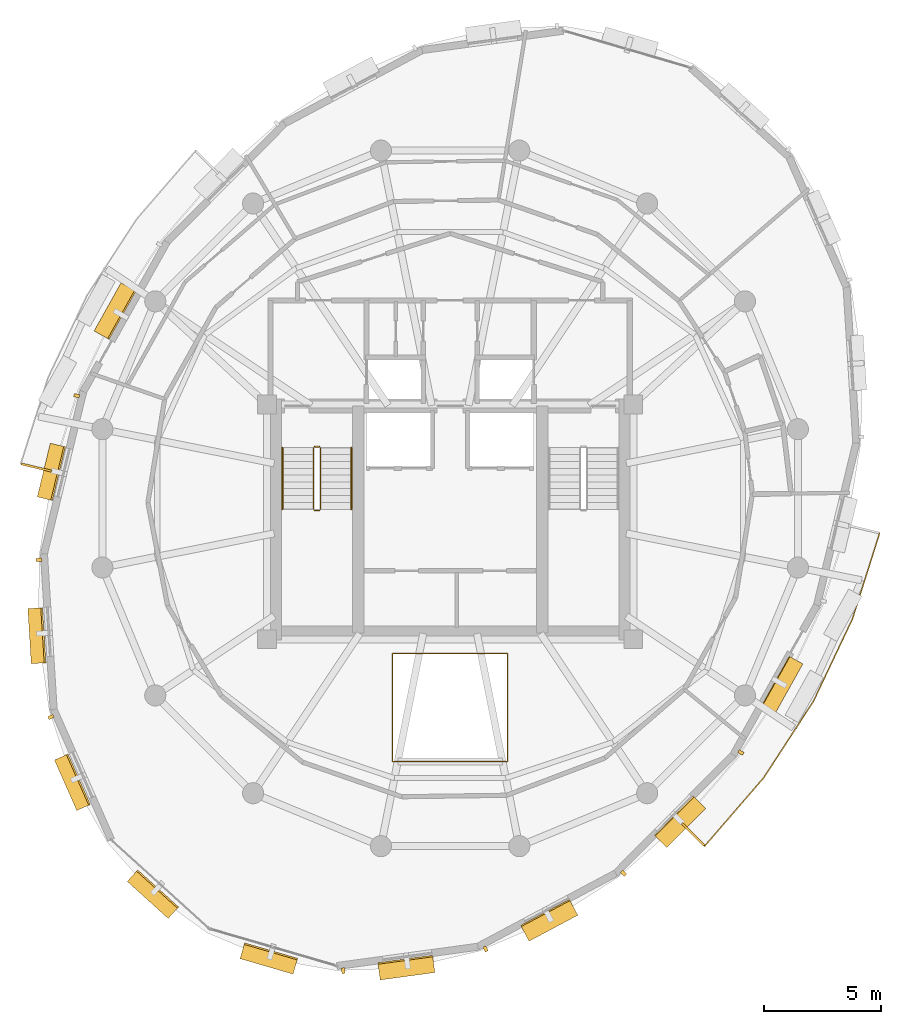
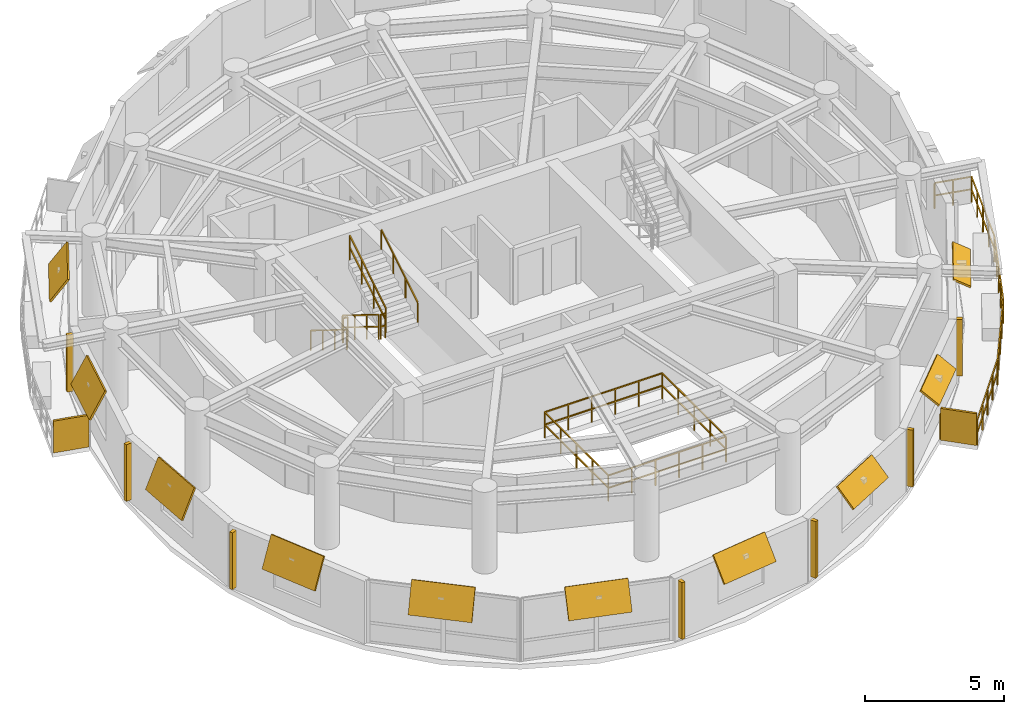
# One storey, part 10 of 11: 19 shading devices, 8 railings.
"""IFC4 building model written with IfcOpenShell, lengths in metres."""

from ifc_helpers import new_model, si_unit, direction, frame, origin, origin_2d, place, context, subcontext, project, spatial, rectangle, extrude, material, layer, layer_set, type_object, element, save


model = new_model("IFC4")

# Units and contexts
model_context = context("Model", 3, precision=1e-05, world=origin(), true_north=direction((0.0, 1.0)))
body_context = subcontext(model_context, "Body", "Model", "MODEL_VIEW")
ifc_project = project(units=[si_unit("LENGTHUNIT", "METRE"), si_unit("AREAUNIT", "SQUARE_METRE"), si_unit("VOLUMEUNIT", "CUBIC_METRE"), si_unit("PLANEANGLEUNIT", "RADIAN"), si_unit("MASSUNIT", "GRAM", prefix="KILO"), si_unit("THERMODYNAMICTEMPERATUREUNIT", "KELVIN"), si_unit("POWERUNIT", "WATT")], contexts=[model_context])

# Site, building, storey
site_placement = place(None, origin())
site = spatial("IfcSite", under=ifc_project, at=site_placement, CompositionType="ELEMENT")
building_placement = place(site_placement, origin())
building = spatial("IfcBuilding", under=site, at=building_placement, Name="Ocrelia Relay Tower", CompositionType="ELEMENT")
storey_placement = place(building_placement, frame((0.0, 0.0, 280.800048828125)))
storey = spatial("IfcBuildingStorey", under=building, at=storey_placement, Name="L70", CompositionType="ELEMENT", Elevation=280.800048828125)

# Railings
ifc_material_1 = material(Name="Steel S355 balustrade", Category="steel")
railing_type_1 = type_object("IfcRailingType", Name="RL-EXT-GUARD-1150", PredefinedType="GUARDRAIL", material=ifc_material_1)
railing_1_placement = place(storey_placement, frame((50.93701171875, 24.849853515625, 0.0)))
element("IfcRailing", 1, at=railing_1_placement, inside=storey, type_object=railing_type_1, Name="L70 Loggia Balcony Guard Rail B2", PredefinedType="GUARDRAIL", context=body_context, shape_type="SweptSolid", body=[
    extrude(rectangle(XDim=0.048095703125, YDim=0.048095703125, at=origin_2d()), frame((0.0, 0.0, 1.1259765625), z_axis=(0.972307733932, -0.233704237309, 0.0), x_axis=(0.233704237309, 0.972307733932, 0.0)), (0.0, 0.0, 1.0), 1.3935546875),
    extrude(rectangle(XDim=0.048095703125, YDim=0.048095703125, at=origin_2d()), frame((0.0, 0.0, 0.574951171875), z_axis=(0.972307733932, -0.233704237309, 0.0), x_axis=(0.233704237309, 0.972307733932, 0.0)), (0.0, 0.0, 1.0), 1.3935546875),
    extrude(rectangle(XDim=0.048095703125, YDim=0.048095703125, at=origin_2d()), frame((1.35498046875, -0.32568359375, 1.1259765625), z_axis=(-0.301624066086, -0.953426936245, 0.0), x_axis=(0.953426936245, -0.301624066086, 0.0)), (0.0, 0.0, 1.0), 1.920654296875),
    extrude(rectangle(XDim=0.048095703125, YDim=0.048095703125, at=origin_2d()), frame((1.35498046875, -0.32568359375, 0.574951171875), z_axis=(-0.301624066086, -0.953426936245, 0.0), x_axis=(0.953426936245, -0.301624066086, 0.0)), (0.0, 0.0, 1.0), 1.920654296875),
    extrude(rectangle(XDim=0.048095703125, YDim=0.048095703125, at=origin_2d()), frame((0.775634765625, -2.156982421875, 1.1259765625), z_axis=(-0.301739602294, -0.953390377761, 0.0), x_axis=(0.953390377761, -0.301739602294, 0.0)), (0.0, 0.0, 1.0), 1.9208984375),
    extrude(rectangle(XDim=0.048095703125, YDim=0.048095703125, at=origin_2d()), frame((0.775634765625, -2.156982421875, 0.574951171875), z_axis=(-0.301739602294, -0.953390377761, 0.0), x_axis=(0.953390377761, -0.301739602294, 0.0)), (0.0, 0.0, 1.0), 1.9208984375),
    extrude(rectangle(XDim=0.048095703125, YDim=0.048095703125, at=origin_2d()), frame((0.196044921875, -3.98828125, 1.1259765625), z_axis=(-0.428170151746, -0.90369813608, 0.0), x_axis=(0.90369813608, -0.428170151746, 0.0)), (0.0, 0.0, 1.0), 3.8818359375),
    extrude(rectangle(XDim=0.048095703125, YDim=0.048095703125, at=origin_2d()), frame((0.196044921875, -3.98828125, 0.574951171875), z_axis=(-0.428170151746, -0.90369813608, 0.0), x_axis=(0.90369813608, -0.428170151746, 0.0)), (0.0, 0.0, 1.0), 3.8818359375),
    extrude(rectangle(XDim=0.048095703125, YDim=0.048095703125, at=origin_2d()), frame((-1.466064453125, -7.496337890625, 1.1259765625), z_axis=(-0.545333158322, -0.838219390395, 0.0), x_axis=(0.838219390395, -0.545333158322, 0.0)), (0.0, 0.0, 1.0), 3.8818359375),
    extrude(rectangle(XDim=0.048095703125, YDim=0.048095703125, at=origin_2d()), frame((-1.466064453125, -7.496337890625, 0.574951171875), z_axis=(-0.545333158322, -0.838219390395, 0.0), x_axis=(0.838219390395, -0.545333158322, 0.0)), (0.0, 0.0, 1.0), 3.8818359375),
    extrude(rectangle(XDim=0.048095703125, YDim=0.048095703125, at=origin_2d()), frame((-3.5830078125, -10.750244140625, 1.1259765625), z_axis=(-0.654020237008, -0.756477051591, 0.0), x_axis=(0.756477051591, -0.654020237008, 0.0)), (0.0, 0.0, 1.0), 1.920654296875),
    extrude(rectangle(XDim=0.048095703125, YDim=0.048095703125, at=origin_2d()), frame((-3.5830078125, -10.750244140625, 0.574951171875), z_axis=(-0.654020237008, -0.756477051591, 0.0), x_axis=(0.756477051591, -0.654020237008, 0.0)), (0.0, 0.0, 1.0), 1.920654296875),
    extrude(rectangle(XDim=0.048095703125, YDim=0.048095703125, at=origin_2d()), frame((-4.839111328125, -12.203125, 1.1259765625), z_axis=(-0.65395734918, -0.75653141736, 0.0), x_axis=(0.75653141736, -0.65395734918, 0.0)), (0.0, 0.0, 1.0), 1.920654296875),
    extrude(rectangle(XDim=0.048095703125, YDim=0.048095703125, at=origin_2d()), frame((-4.839111328125, -12.203125, 0.574951171875), z_axis=(-0.65395734918, -0.75653141736, 0.0), x_axis=(0.75653141736, -0.65395734918, 0.0)), (0.0, 0.0, 1.0), 1.920654296875),
    extrude(rectangle(XDim=0.048095703125, YDim=0.048095703125, at=origin_2d()), frame((-6.09521484375, -13.65625, 1.1259765625), z_axis=(-0.70850698851, 0.705703795677, 0.0), x_axis=(-0.705703795677, -0.70850698851, 0.0)), (0.0, 0.0, 1.0), 1.3935546875),
    extrude(rectangle(XDim=0.048095703125, YDim=0.048095703125, at=origin_2d()), frame((-6.09521484375, -13.65625, 0.574951171875), z_axis=(-0.70850698851, 0.705703795677, 0.0), x_axis=(-0.705703795677, -0.70850698851, 0.0)), (0.0, 0.0, 1.0), 1.3935546875),
    extrude(rectangle(XDim=0.0419921875, YDim=0.0419921875, at=origin_2d()), origin(), (0.0, 0.0, 1.0), 1.101806640625),
    extrude(rectangle(XDim=0.0419921875, YDim=0.0419921875, at=origin_2d()), frame((0.677490234375, -0.162841796875, 0.0)), (0.0, 0.0, 1.0), 1.101806640625),
    extrude(rectangle(XDim=0.0419921875, YDim=0.0419921875, at=origin_2d()), frame((1.35498046875, -0.32568359375, 0.0)), (0.0, 0.0, 1.0), 1.101806640625),
    extrude(rectangle(XDim=0.0419921875, YDim=0.0419921875, at=origin_2d()), frame((1.0654296875, -1.2412109375, 0.0)), (0.0, 0.0, 1.0), 1.101806640625),
    extrude(rectangle(XDim=0.0419921875, YDim=0.0419921875, at=origin_2d()), frame((0.775634765625, -2.156982421875, 0.0)), (0.0, 0.0, 1.0), 1.101806640625),
    extrude(rectangle(XDim=0.0419921875, YDim=0.0419921875, at=origin_2d()), frame((0.48583984375, -3.07275390625, 0.0)), (0.0, 0.0, 1.0), 1.101806640625),
    extrude(rectangle(XDim=0.0419921875, YDim=0.0419921875, at=origin_2d()), frame((0.196044921875, -3.98828125, 0.0)), (0.0, 0.0, 1.0), 1.101806640625),
    extrude(rectangle(XDim=0.0419921875, YDim=0.0419921875, at=origin_2d()), frame((-0.219482421875, -4.865234375, 0.0)), (0.0, 0.0, 1.0), 1.101806640625),
    extrude(rectangle(XDim=0.0419921875, YDim=0.0419921875, at=origin_2d()), frame((-0.635009765625, -5.7421875, 0.0)), (0.0, 0.0, 1.0), 1.101806640625),
    extrude(rectangle(XDim=0.0419921875, YDim=0.0419921875, at=origin_2d()), frame((-1.050537109375, -6.619384765625, 0.0)), (0.0, 0.0, 1.0), 1.101806640625),
    extrude(rectangle(XDim=0.0419921875, YDim=0.0419921875, at=origin_2d()), frame((-1.466064453125, -7.496337890625, 0.0)), (0.0, 0.0, 1.0), 1.101806640625),
    extrude(rectangle(XDim=0.0419921875, YDim=0.0419921875, at=origin_2d()), frame((-1.995361328125, -8.309814453125, 0.0)), (0.0, 0.0, 1.0), 1.101806640625),
    extrude(rectangle(XDim=0.0419921875, YDim=0.0419921875, at=origin_2d()), frame((-2.5244140625, -9.123291015625, 0.0)), (0.0, 0.0, 1.0), 1.101806640625),
    extrude(rectangle(XDim=0.0419921875, YDim=0.0419921875, at=origin_2d()), frame((-3.0537109375, -9.936767578125, 0.0)), (0.0, 0.0, 1.0), 1.101806640625),
    extrude(rectangle(XDim=0.0419921875, YDim=0.0419921875, at=origin_2d()), frame((-3.5830078125, -10.750244140625, 0.0)), (0.0, 0.0, 1.0), 1.101806640625),
    extrude(rectangle(XDim=0.0419921875, YDim=0.0419921875, at=origin_2d()), frame((-4.2109375, -11.4765625, 0.0)), (0.0, 0.0, 1.0), 1.101806640625),
    extrude(rectangle(XDim=0.0419921875, YDim=0.0419921875, at=origin_2d()), frame((-4.839111328125, -12.203125, 0.0)), (0.0, 0.0, 1.0), 1.101806640625),
    extrude(rectangle(XDim=0.0419921875, YDim=0.0419921875, at=origin_2d()), frame((-5.46728515625, -12.9296875, 0.0)), (0.0, 0.0, 1.0), 1.101806640625),
    extrude(rectangle(XDim=0.0419921875, YDim=0.0419921875, at=origin_2d()), frame((-6.09521484375, -13.65625, 0.0)), (0.0, 0.0, 1.0), 1.101806640625),
    extrude(rectangle(XDim=0.0419921875, YDim=0.0419921875, at=origin_2d()), frame((-6.5888671875, -13.16455078125, 0.0)), (0.0, 0.0, 1.0), 1.101806640625),
    extrude(rectangle(XDim=0.0419921875, YDim=0.0419921875, at=origin_2d()), frame((-7.08251953125, -12.6728515625, 0.0)), (0.0, 0.0, 1.0), 1.101806640625),
])
ifc_material_2 = material(Name="Steel S355 atrium balustrade", Category="steel")
railing_type_2 = type_object("IfcRailingType", Name="RL-INT-GUARD-115", PredefinedType="GUARDRAIL", material=ifc_material_2)
railing_2_placement = place(storey_placement, frame((31.550048828125, 14.800048828125, 0.0)))
element("IfcRailing", 2, at=railing_2_placement, inside=storey, type_object=railing_type_2, Name="L70 Multi-Zone Interior Atrium Guard", PredefinedType="GUARDRAIL", context=body_context, shape_type="SweptSolid", body=[
    extrude(rectangle(XDim=0.048095703125, YDim=0.048095703125, at=origin_2d()), frame((0.0, 0.0, 1.1259765625), z_axis=(1.0, 0.0, 0.0), x_axis=(0.0, 1.0, 0.0)), (0.0, 0.0, 1.0), 4.89990234375),
    extrude(rectangle(XDim=0.048095703125, YDim=0.048095703125, at=origin_2d()), frame((0.0, 0.0, 0.574951171875), z_axis=(1.0, 0.0, 0.0), x_axis=(0.0, 1.0, 0.0)), (0.0, 0.0, 1.0), 4.89990234375),
    extrude(rectangle(XDim=0.048095703125, YDim=0.048095703125, at=origin_2d()), frame((4.89990234375, 0.0, 1.1259765625), z_axis=(0.0, 1.0, 0.0), x_axis=(-1.0, 0.0, 0.0)), (0.0, 0.0, 1.0), 4.599853515625),
    extrude(rectangle(XDim=0.048095703125, YDim=0.048095703125, at=origin_2d()), frame((4.89990234375, 0.0, 0.574951171875), z_axis=(0.0, 1.0, 0.0), x_axis=(-1.0, 0.0, 0.0)), (0.0, 0.0, 1.0), 4.599853515625),
    extrude(rectangle(XDim=0.048095703125, YDim=0.048095703125, at=origin_2d()), frame((4.89990234375, 4.599853515625, 1.1259765625), z_axis=(-1.0, 0.0, 0.0), x_axis=(0.0, -1.0, 0.0)), (0.0, 0.0, 1.0), 4.89990234375),
    extrude(rectangle(XDim=0.048095703125, YDim=0.048095703125, at=origin_2d()), frame((4.89990234375, 4.599853515625, 0.574951171875), z_axis=(-1.0, 0.0, 0.0), x_axis=(0.0, -1.0, 0.0)), (0.0, 0.0, 1.0), 4.89990234375),
    extrude(rectangle(XDim=0.048095703125, YDim=0.048095703125, at=origin_2d()), frame((0.0, 4.599853515625, 1.1259765625), z_axis=(0.0, -1.0, 0.0), x_axis=(1.0, 0.0, 0.0)), (0.0, 0.0, 1.0), 4.599853515625),
    extrude(rectangle(XDim=0.048095703125, YDim=0.048095703125, at=origin_2d()), frame((0.0, 4.599853515625, 0.574951171875), z_axis=(0.0, -1.0, 0.0), x_axis=(1.0, 0.0, 0.0)), (0.0, 0.0, 1.0), 4.599853515625),
    extrude(rectangle(XDim=0.0419921875, YDim=0.0419921875, at=origin_2d()), origin(), (0.0, 0.0, 1.0), 1.101806640625),
    extrude(rectangle(XDim=0.0419921875, YDim=0.0419921875, at=origin_2d()), frame((0.97998046875, 0.0, 0.0)), (0.0, 0.0, 1.0), 1.101806640625),
    extrude(rectangle(XDim=0.0419921875, YDim=0.0419921875, at=origin_2d()), frame((1.9599609375, 0.0, 0.0)), (0.0, 0.0, 1.0), 1.101806640625),
    extrude(rectangle(XDim=0.0419921875, YDim=0.0419921875, at=origin_2d()), frame((2.93994140625, 0.0, 0.0)), (0.0, 0.0, 1.0), 1.101806640625),
    extrude(rectangle(XDim=0.0419921875, YDim=0.0419921875, at=origin_2d()), frame((3.919921875, 0.0, 0.0)), (0.0, 0.0, 1.0), 1.101806640625),
    extrude(rectangle(XDim=0.0419921875, YDim=0.0419921875, at=origin_2d()), frame((4.89990234375, 0.0, 0.0)), (0.0, 0.0, 1.0), 1.101806640625),
    extrude(rectangle(XDim=0.0419921875, YDim=0.0419921875, at=origin_2d()), frame((4.89990234375, 1.14990234375, 0.0)), (0.0, 0.0, 1.0), 1.101806640625),
    extrude(rectangle(XDim=0.0419921875, YDim=0.0419921875, at=origin_2d()), frame((4.89990234375, 2.2998046875, 0.0)), (0.0, 0.0, 1.0), 1.101806640625),
    extrude(rectangle(XDim=0.0419921875, YDim=0.0419921875, at=origin_2d()), frame((4.89990234375, 3.449951171875, 0.0)), (0.0, 0.0, 1.0), 1.101806640625),
    extrude(rectangle(XDim=0.0419921875, YDim=0.0419921875, at=origin_2d()), frame((4.89990234375, 4.599853515625, 0.0)), (0.0, 0.0, 1.0), 1.101806640625),
    extrude(rectangle(XDim=0.0419921875, YDim=0.0419921875, at=origin_2d()), frame((3.919921875, 4.599853515625, 0.0)), (0.0, 0.0, 1.0), 1.101806640625),
    extrude(rectangle(XDim=0.0419921875, YDim=0.0419921875, at=origin_2d()), frame((2.93994140625, 4.599853515625, 0.0)), (0.0, 0.0, 1.0), 1.101806640625),
    extrude(rectangle(XDim=0.0419921875, YDim=0.0419921875, at=origin_2d()), frame((1.9599609375, 4.599853515625, 0.0)), (0.0, 0.0, 1.0), 1.101806640625),
    extrude(rectangle(XDim=0.0419921875, YDim=0.0419921875, at=origin_2d()), frame((0.97998046875, 4.599853515625, 0.0)), (0.0, 0.0, 1.0), 1.101806640625),
    extrude(rectangle(XDim=0.0419921875, YDim=0.0419921875, at=origin_2d()), frame((0.0, 4.599853515625, 0.0)), (0.0, 0.0, 1.0), 1.101806640625),
    extrude(rectangle(XDim=0.0419921875, YDim=0.0419921875, at=origin_2d()), frame((0.0, 3.449951171875, 0.0)), (0.0, 0.0, 1.0), 1.101806640625),
    extrude(rectangle(XDim=0.0419921875, YDim=0.0419921875, at=origin_2d()), frame((0.0, 2.2998046875, 0.0)), (0.0, 0.0, 1.0), 1.101806640625),
    extrude(rectangle(XDim=0.0419921875, YDim=0.0419921875, at=origin_2d()), frame((0.0, 1.14990234375, 0.0)), (0.0, 0.0, 1.0), 1.101806640625),
])
railing_type_3 = type_object("IfcRailingType", Name="RL-STAIR-GUARD", PredefinedType="GUARDRAIL", material=ifc_material_1)
railing_3_placement = place(storey_placement, frame((28.179931640625, 28.14990234375, 0.179931640625)))
element("IfcRailing", 3, at=railing_3_placement, inside=storey, type_object=railing_type_3, Name="L70 ST1 stair guard 1", PredefinedType="GUARDRAIL", context=body_context, shape_type="SweptSolid", body=[
    extrude(rectangle(XDim=0.048095703125, YDim=0.048095703125, at=origin_2d()), frame((0.0, 0.0, 1.076171875), z_axis=(0.0, -0.849610693518, 0.52741034258), x_axis=(1.0, 0.0, 0.0)), (0.0, 0.0, 1.0), 3.07177734375),
    extrude(rectangle(XDim=0.048095703125, YDim=0.048095703125, at=origin_2d()), frame((0.0, 0.0, 0.550048828125), z_axis=(0.0, -0.849610693518, 0.52741034258), x_axis=(1.0, 0.0, 0.0)), (0.0, 0.0, 1.0), 3.07177734375),
    extrude(rectangle(XDim=0.0419921875, YDim=0.0419921875, at=origin_2d()), origin(), (0.0, 0.0, 1.0), 1.052001953125),
    extrude(rectangle(XDim=0.0419921875, YDim=0.0419921875, at=origin_2d()), frame((0.0, -0.869873046875, 0.5400390625)), (0.0, 0.0, 1.0), 1.052001953125),
    extrude(rectangle(XDim=0.0419921875, YDim=0.0419921875, at=origin_2d()), frame((0.0, -1.739990234375, 1.080078125)), (0.0, 0.0, 1.0), 1.052001953125),
    extrude(rectangle(XDim=0.0419921875, YDim=0.0419921875, at=origin_2d()), frame((0.0, -2.60986328125, 1.6201171875)), (0.0, 0.0, 1.0), 1.052001953125),
])
railing_4_placement = place(storey_placement, frame((28.22998046875, 25.489990234375, 1.800048828125)))
element("IfcRailing", 4, at=railing_4_placement, inside=storey, type_object=railing_type_3, Name="L70 ST1 stair guard 2", PredefinedType="GUARDRAIL", context=body_context, shape_type="SweptSolid", body=[
    extrude(rectangle(XDim=0.048095703125, YDim=0.048095703125, at=origin_2d()), frame((0.0, 0.0, 1.076171875), z_axis=(1.0, 0.0, 0.0), x_axis=(0.0, 1.0, 0.0)), (0.0, 0.0, 1.0), 0.199951171875),
    extrude(rectangle(XDim=0.048095703125, YDim=0.048095703125, at=origin_2d()), frame((0.0, 0.0, 0.550048828125), z_axis=(1.0, 0.0, 0.0), x_axis=(0.0, 1.0, 0.0)), (0.0, 0.0, 1.0), 0.199951171875),
    extrude(rectangle(XDim=0.0419921875, YDim=0.0419921875, at=origin_2d()), origin(), (0.0, 0.0, 1.0), 1.052001953125),
    extrude(rectangle(XDim=0.0419921875, YDim=0.0419921875, at=origin_2d()), frame((0.199951171875, 0.0, 0.0)), (0.0, 0.0, 1.0), 1.052001953125),
])
railing_5_placement = place(storey_placement, frame((28.47998046875, 25.5400390625, 1.97998046875)))
element("IfcRailing", 5, at=railing_5_placement, inside=storey, type_object=railing_type_3, Name="L70 ST1 stair guard 3", PredefinedType="GUARDRAIL", context=body_context, shape_type="SweptSolid", body=[
    extrude(rectangle(XDim=0.048095703125, YDim=0.048095703125, at=origin_2d()), frame((0.0, 0.0, 1.076171875), z_axis=(0.0, 0.849646306263, 0.527352969322), x_axis=(-1.0, 0.0, 0.0)), (0.0, 0.0, 1.0), 3.07177734375),
    extrude(rectangle(XDim=0.048095703125, YDim=0.048095703125, at=origin_2d()), frame((0.0, 0.0, 0.550048828125), z_axis=(0.0, 0.849646306263, 0.527352969322), x_axis=(-1.0, 0.0, 0.0)), (0.0, 0.0, 1.0), 3.07177734375),
    extrude(rectangle(XDim=0.0419921875, YDim=0.0419921875, at=origin_2d()), origin(), (0.0, 0.0, 1.0), 1.052001953125),
    extrude(rectangle(XDim=0.0419921875, YDim=0.0419921875, at=origin_2d()), frame((0.0, 0.869873046875, 0.5400390625)), (0.0, 0.0, 1.0), 1.052001953125),
    extrude(rectangle(XDim=0.0419921875, YDim=0.0419921875, at=origin_2d()), frame((0.0, 1.739990234375, 1.079833984375)), (0.0, 0.0, 1.0), 1.052001953125),
    extrude(rectangle(XDim=0.0419921875, YDim=0.0419921875, at=origin_2d()), frame((0.0, 2.60986328125, 1.619873046875)), (0.0, 0.0, 1.0), 1.052001953125),
])
railing_6_placement = place(storey_placement, frame((28.22998046875, 28.199951171875, 0.0)))
element("IfcRailing", 6, at=railing_6_placement, inside=storey, type_object=railing_type_3, Name="L70 ST1 stair guard 4", PredefinedType="GUARDRAIL", context=body_context, shape_type="SweptSolid", body=[
    extrude(rectangle(XDim=0.048095703125, YDim=0.048095703125, at=origin_2d()), frame((0.0, 0.0, 1.076171875), z_axis=(1.0, 0.0, 0.0), x_axis=(0.0, 1.0, 0.0)), (0.0, 0.0, 1.0), 0.199951171875),
    extrude(rectangle(XDim=0.048095703125, YDim=0.048095703125, at=origin_2d()), frame((0.0, 0.0, 0.550048828125), z_axis=(1.0, 0.0, 0.0), x_axis=(0.0, 1.0, 0.0)), (0.0, 0.0, 1.0), 0.199951171875),
    extrude(rectangle(XDim=0.0419921875, YDim=0.0419921875, at=origin_2d()), origin(), (0.0, 0.0, 1.0), 1.052001953125),
    extrude(rectangle(XDim=0.0419921875, YDim=0.0419921875, at=origin_2d()), frame((0.199951171875, 0.0, 0.0)), (0.0, 0.0, 1.0), 1.052001953125),
])
ifc_material_3 = material(Name="Steel S355 tubular handrail", Category="steel")
railing_type_4 = type_object("IfcRailingType", Name="RL-STAIR-HAND", PredefinedType="HANDRAIL", material=ifc_material_3)
railing_7_placement = place(storey_placement, frame((26.860107421875, 28.14990234375, 0.179931640625)))
element("IfcRailing", 7, at=railing_7_placement, inside=storey, type_object=railing_type_4, Name="L70 ST1 stair handrail 1", PredefinedType="HANDRAIL", context=body_context, shape_type="SweptSolid", body=[
    extrude(rectangle(XDim=0.048095703125, YDim=0.048095703125, at=origin_2d()), frame((0.0, 0.0, 0.8759765625), z_axis=(0.0, -0.849610693518, 0.52741034258), x_axis=(1.0, 0.0, 0.0)), (0.0, 0.0, 1.0), 3.07177734375),
    extrude(rectangle(XDim=0.0419921875, YDim=0.0419921875, at=origin_2d()), origin(), (0.0, 0.0, 1.0), 0.851806640625),
    extrude(rectangle(XDim=0.0419921875, YDim=0.0419921875, at=origin_2d()), frame((0.0, -0.869873046875, 0.5400390625)), (0.0, 0.0, 1.0), 0.851806640625),
    extrude(rectangle(XDim=0.0419921875, YDim=0.0419921875, at=origin_2d()), frame((0.0, -1.739990234375, 1.080078125)), (0.0, 0.0, 1.0), 0.851806640625),
    extrude(rectangle(XDim=0.0419921875, YDim=0.0419921875, at=origin_2d()), frame((0.0, -2.60986328125, 1.6201171875)), (0.0, 0.0, 1.0), 0.851806640625),
])
railing_8_placement = place(storey_placement, frame((29.800048828125, 25.5400390625, 1.97998046875)))
element("IfcRailing", 8, at=railing_8_placement, inside=storey, type_object=railing_type_4, Name="L70 ST1 stair handrail 2", PredefinedType="HANDRAIL", context=body_context, shape_type="SweptSolid", body=[
    extrude(rectangle(XDim=0.048095703125, YDim=0.048095703125, at=origin_2d()), frame((0.0, 0.0, 0.8759765625), z_axis=(0.0, 0.849646306263, 0.527352969322), x_axis=(-1.0, 0.0, 0.0)), (0.0, 0.0, 1.0), 3.07177734375),
    extrude(rectangle(XDim=0.0419921875, YDim=0.0419921875, at=origin_2d()), origin(), (0.0, 0.0, 1.0), 0.851806640625),
    extrude(rectangle(XDim=0.0419921875, YDim=0.0419921875, at=origin_2d()), frame((0.0, 0.869873046875, 0.5400390625)), (0.0, 0.0, 1.0), 0.851806640625),
    extrude(rectangle(XDim=0.0419921875, YDim=0.0419921875, at=origin_2d()), frame((0.0, 1.739990234375, 1.079833984375)), (0.0, 0.0, 1.0), 0.851806640625),
    extrude(rectangle(XDim=0.0419921875, YDim=0.0419921875, at=origin_2d()), frame((0.0, 2.60986328125, 1.619873046875)), (0.0, 0.0, 1.0), 0.851806640625),
])

# Shading devices
ifc_material_4 = material(Name="Perforated oxide terracotta solar screen", Category="masonry")
ifc_layer_1 = layer(ifc_material_4, 0.090087890625, Name="Perforated oxide terracotta solar screen")
ifc_layer_set_1 = layer_set([ifc_layer_1], Name="Perforated oxide terracotta solar screen")
shading_device_type_1 = type_object("IfcShadingDeviceType", Name="SH-BALC-SCREEN", PredefinedType="USERDEFINED", material=ifc_layer_set_1)
for number, where, z_axis, x_axis, name in (
    (9, (16.385498046875, 27.31298828125, 0.0), (0.0, 0.0, 1.0), (-0.972285594058, 0.233796329287, 0.0), "L70 Balcony Perforated Terracotta Screen B1-2"),
    (10, (44.34814453125, 11.685302734375, 0.0), (0.0, 0.0, 1.0), (0.70857636851, -0.705634133237, 0.0), "L70 Balcony Perforated Terracotta Screen B2-1"),
):
    element("IfcShadingDevice", number, at=place(storey_placement, frame(where, z_axis=z_axis, x_axis=x_axis)), inside=storey, type_object=shading_device_type_1, Name=name, ObjectType="SCREEN", PredefinedType="USERDEFINED", context=body_context, shape_type="SweptSolid", body=[
        extrude(rectangle(XDim=1.340087890625, YDim=0.090087890625, at=origin_2d()), origin(), (0.0, 0.0, 1.0), 1.39990234375),
    ])
ifc_material_5 = material(Name="Extruded oxide terracotta vertical baguette", Category="masonry")
shading_device_type_2 = type_object("IfcShadingDeviceType", Name="SH-TERR-BAGUETTE", PredefinedType="USERDEFINED", material=ifc_material_5)
for number, where, z_axis, x_axis, name in (
    (11, (18.100341796875, 30.372802734375, 0.1298828125), (0.0, 0.0, 1.0), (-0.235283443426, -0.971926798298, 0.0), "L70 Oxide Terracotta Vertical Baguette 06"),
    (12, (16.49169921875, 23.3828125, 0.1298828125), (0.0, 0.0, 1.0), (0.061989356526, -0.99807681051, 0.0), "L70 Oxide Terracotta Vertical Baguette 07"),
    (13, (17.004638671875, 16.69384765625, 0.1298828125), (0.0, 0.0, 1.0), (0.403821339218, -0.914837868692, 0.0), "L70 Oxide Terracotta Vertical Baguette 08"),
    (14, (29.448486328125, 5.892333984375, 0.1298828125), (0.0, 0.0, 1.0), (0.990788159236, 0.135420912406, 0.0), "L70 Oxide Terracotta Vertical Baguette 11"),
    (15, (35.505615234375, 6.818603515625, 0.1298828125), (0.0, 0.0, 1.0), (0.882567448282, 0.470185813518, 0.0), "L70 Oxide Terracotta Vertical Baguette 12"),
    (16, (41.380859375, 10.040283203125, 0.1298828125), (0.0, 0.0, 1.0), (0.704530158963, 0.709674048498, 0.0), "L70 Oxide Terracotta Vertical Baguette 13"),
    (17, (46.37939453125, 15.178955078125, 0.1298828125), (0.0, 0.0, 1.0), (0.487863765582, 0.872919782244, 0.0), "L70 Oxide Terracotta Vertical Baguette 14"),
):
    element("IfcShadingDevice", number, at=place(storey_placement, frame(where, z_axis=z_axis, x_axis=x_axis)), inside=storey, type_object=shading_device_type_2, Name=name, ObjectType="BAGUETTE", PredefinedType="USERDEFINED", context=body_context, shape_type="SweptSolid", body=[
        extrude(rectangle(XDim=0.139892578125, YDim=0.239990234375, at=origin_2d()), origin(), (0.0, 0.0, 1.0), 2.5),
    ])
ifc_material_6 = material(Name="Extruded oxide terracotta fin", Category="masonry")
ifc_layer_2 = layer(ifc_material_6, 0.080078125, Name="Extruded oxide terracotta fin")
ifc_layer_set_2 = layer_set([ifc_layer_2], Name="Extruded oxide terracotta fin")
shading_device_type_3 = type_object("IfcShadingDeviceType", Name="SH-VISOR-FIN-DEEP", PredefinedType="USERDEFINED", material=ifc_layer_set_2)
shading_device_1_placement = place(storey_placement, frame((19.759521484375, 33.958984375, 2.577392578125), z_axis=(-0.724023900331, 0.404647750655, 0.558613989835), x_axis=(-0.487863765582, -0.872919782244, 0.0)))
element("IfcShadingDevice", 18, at=shading_device_1_placement, inside=storey, type_object=shading_device_type_3, Name="L70 Canted Terracotta Sun-Visor Fin 05", ObjectType="FIN", PredefinedType="USERDEFINED", context=body_context, shape_type="SweptSolid", body=[
    extrude(rectangle(XDim=2.35009765625, YDim=1.18408203125, at=origin_2d()), origin(), (0.0, 0.0, 1.0), 0.080078125),
])
shading_device_2_placement = place(storey_placement, frame((17.054931640625, 27.12060546875, 2.581787109375), z_axis=(-0.866224035219, 0.209694983348, 0.453523907604), x_axis=(-0.235283443426, -0.971926798298, 0.0)))
element("IfcShadingDevice", 19, at=shading_device_2_placement, inside=storey, type_object=shading_device_type_3, Name="L70 Canted Terracotta Sun-Visor Fin 06", ObjectType="FIN", PredefinedType="USERDEFINED", context=body_context, shape_type="SweptSolid", body=[
    extrude(rectangle(XDim=2.35009765625, YDim=1.301025390625, at=origin_2d()), origin(), (0.0, 0.0, 1.0), 0.080078125),
])
shading_device_3_placement = place(storey_placement, frame((16.43896484375, 20.154052734375, 2.58349609375), z_axis=(-0.910651344363, -0.056559465426, 0.40928615403), x_axis=(0.061989356526, -0.99807681051, 0.0)))
element("IfcShadingDevice", 20, at=shading_device_3_placement, inside=storey, type_object=shading_device_type_3, Name="L70 Canted Terracotta Sun-Visor Fin 07", ObjectType="FIN", PredefinedType="USERDEFINED", context=body_context, shape_type="SweptSolid", body=[
    extrude(rectangle(XDim=2.35009765625, YDim=1.346923828125, at=origin_2d()), origin(), (0.0, 0.0, 1.0), 0.080078125),
])
shading_device_4_placement = place(storey_placement, frame((17.947509765625, 13.92626953125, 2.583251953125), z_axis=(-0.832334551343, -0.367403301397, 0.41501085379), x_axis=(0.403821339218, -0.914837868692, 0.0)))
element("IfcShadingDevice", 21, at=shading_device_4_placement, inside=storey, type_object=shading_device_type_3, Name="L70 Canted Terracotta Sun-Visor Fin 08", ObjectType="FIN", PredefinedType="USERDEFINED", context=body_context, shape_type="SweptSolid", body=[
    extrude(rectangle(XDim=2.35009765625, YDim=1.341064453125, at=origin_2d()), origin(), (0.0, 0.0, 1.0), 0.080078125),
])
shading_device_5_placement = place(storey_placement, frame((21.369140625, 9.17138671875, 2.581787109375), z_axis=(-0.598866630534, -0.661548636244, 0.451344835704), x_axis=(0.741355880595, -0.671112105618, 0.0)))
element("IfcShadingDevice", 22, at=shading_device_5_placement, inside=storey, type_object=shading_device_type_3, Name="L70 Canted Terracotta Sun-Visor Fin 09", ObjectType="FIN", PredefinedType="USERDEFINED", context=body_context, shape_type="SweptSolid", body=[
    extrude(rectangle(XDim=2.35009765625, YDim=1.302978515625, at=origin_2d()), origin(), (0.0, 0.0, 1.0), 0.080078125),
])
shading_device_6_placement = place(storey_placement, frame((26.291015625, 6.439453125, 2.57958984375), z_axis=(-0.240849522364, -0.826451011445, 0.508891180174), x_axis=(0.960062018454, -0.279787277627, 0.0)))
element("IfcShadingDevice", 23, at=shading_device_6_placement, inside=storey, type_object=shading_device_type_3, Name="L70 Canted Terracotta Sun-Visor Fin 10", ObjectType="FIN", PredefinedType="USERDEFINED", context=body_context, shape_type="SweptSolid", body=[
    extrude(rectangle(XDim=2.35009765625, YDim=1.239990234375, at=origin_2d()), origin(), (0.0, 0.0, 1.0), 0.080078125),
])
shading_device_7_placement = place(storey_placement, frame((32.13330078125, 6.0498046875, 2.576416015625), z_axis=(0.109724289652, -0.802782414004, 0.586089563144), x_axis=(0.990788159236, 0.135420912406, 0.0)))
element("IfcShadingDevice", 24, at=shading_device_7_placement, inside=storey, type_object=shading_device_type_3, Name="L70 Canted Terracotta Sun-Visor Fin 11", ObjectType="FIN", PredefinedType="USERDEFINED", context=body_context, shape_type="SweptSolid", body=[
    extrude(rectangle(XDim=2.35009765625, YDim=1.152099609375, at=origin_2d()), origin(), (0.0, 0.0, 1.0), 0.080078125),
])
ifc_layer_3 = layer(ifc_material_6, 0.080078125, Name="Extruded oxide terracotta fin")
ifc_layer_set_3 = layer_set([ifc_layer_3], Name="Extruded oxide terracotta fin")
shading_device_type_4 = type_object("IfcShadingDeviceType", Name="SH-VISOR-FIN-MED", PredefinedType="USERDEFINED", material=ifc_layer_set_3)
shading_device_8_placement = place(storey_placement, frame((38.2060546875, 8.05908203125, 2.572509765625), z_axis=(0.343311944033, -0.644417457309, 0.683273773681), x_axis=(0.882567448282, 0.470185813518, 0.0)))
element("IfcShadingDevice", 25, at=shading_device_8_placement, inside=storey, type_object=shading_device_type_4, Name="L70 Canted Terracotta Sun-Visor Fin 12", ObjectType="FIN", PredefinedType="USERDEFINED", context=body_context, shape_type="SweptSolid", body=[
    extrude(rectangle(XDim=2.35009765625, YDim=1.031982421875, at=origin_2d()), origin(), (0.0, 0.0, 1.0), 0.080078125),
])
shading_device_9_placement = place(storey_placement, frame((43.77294921875, 12.243408203125, 2.568115234375), z_axis=(0.433690804527, -0.430547308445, 0.791543619303), x_axis=(0.704530158963, 0.709674048498, 0.0)))
element("IfcShadingDevice", 26, at=shading_device_9_placement, inside=storey, type_object=shading_device_type_4, Name="L70 Canted Terracotta Sun-Visor Fin 13", ObjectType="FIN", PredefinedType="USERDEFINED", context=body_context, shape_type="SweptSolid", body=[
    extrude(rectangle(XDim=2.35009765625, YDim=0.8779296875, at=origin_2d()), origin(), (0.0, 0.0, 1.0), 0.080078125),
])
ifc_layer_4 = layer(ifc_material_6, 0.080078125, Name="Extruded oxide terracotta fin")
ifc_layer_set_4 = layer_set([ifc_layer_4], Name="Extruded oxide terracotta fin")
shading_device_type_5 = type_object("IfcShadingDeviceType", Name="SH-VISOR-FIN-SHAL", PredefinedType="USERDEFINED", material=ifc_layer_set_4)
shading_device_10_placement = place(storey_placement, frame((48.138916015625, 18.09814453125, 2.564453125), z_axis=(0.409272834815, -0.228737382752, 0.883275130644), x_axis=(0.487863765582, 0.872919782244, 0.0)))
element("IfcShadingDevice", 27, at=shading_device_10_placement, inside=storey, type_object=shading_device_type_5, Name="L70 Canted Terracotta Sun-Visor Fin 14", ObjectType="FIN", PredefinedType="USERDEFINED", context=body_context, shape_type="SweptSolid", body=[
    extrude(rectangle(XDim=2.35009765625, YDim=0.716064453125, at=origin_2d()), origin(), (0.0, 0.0, 1.0), 0.080078125),
])

save(model, "model.ifc")
